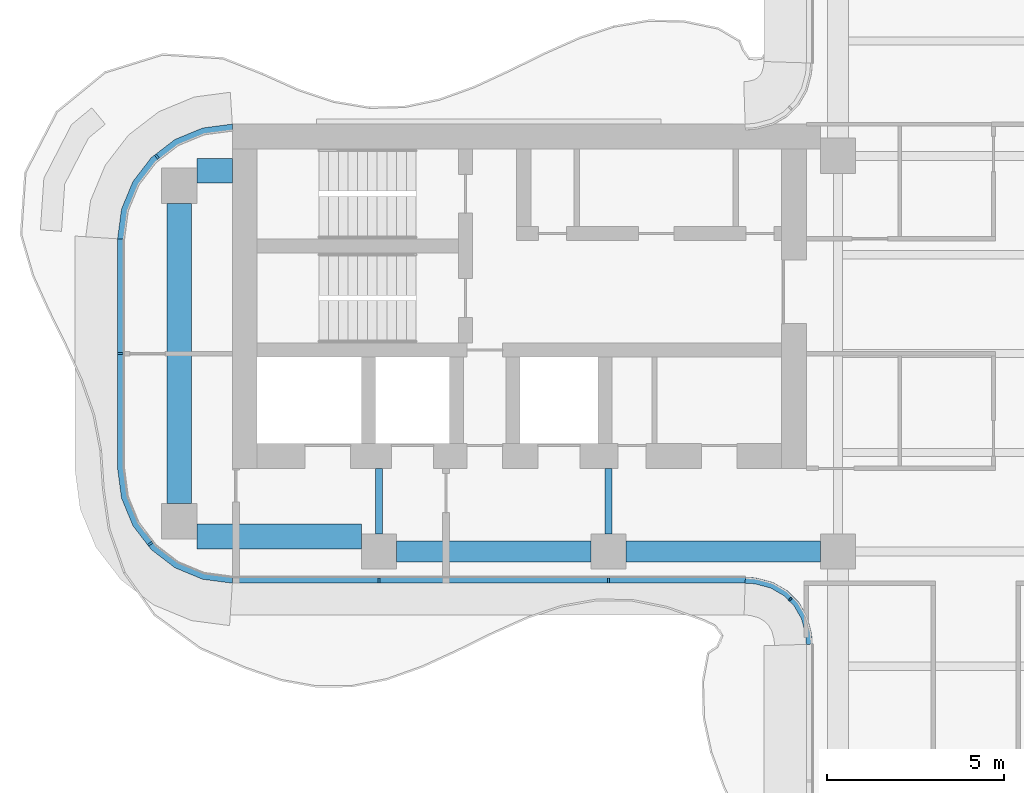
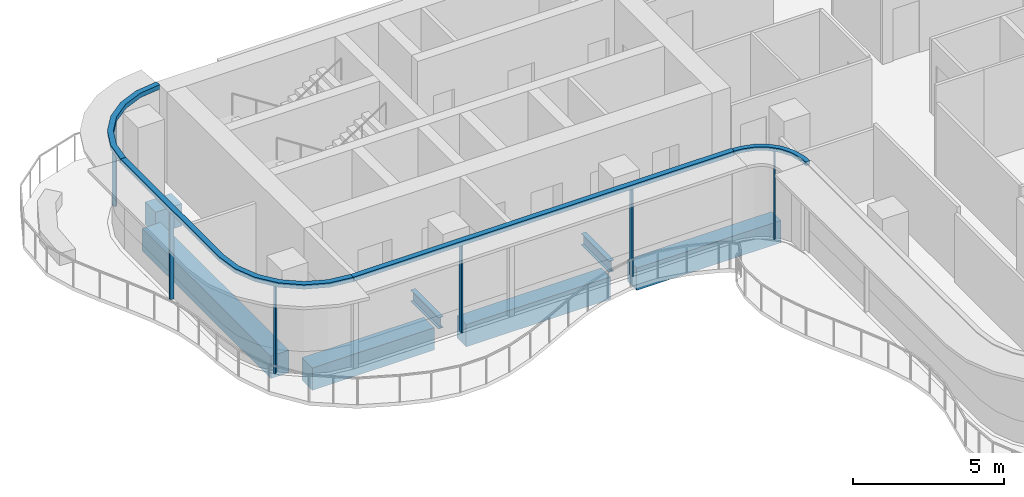
# One storey, part 3 of 16: 10 members, 7 beams, 4 elements without a shape of their own.
"""IFC4 building model written with IfcOpenShell, lengths in metres."""

from ifc_helpers import new_model, si_unit, direction, frame, origin, origin_2d, place, context, subcontext, project, spatial, polyline, rectangle, i_section, outline, extrude, source, transform, mapped, material, layer, layer_set, material_profile, profile_set, type_object, element, aggregate, save


model = new_model("IFC4")

# Units and contexts
model_context = context("Model", 3, precision=1e-05, world=origin(), true_north=direction((0.0, 1.0)))
body_context = subcontext(model_context, "Body", "Model", "MODEL_VIEW")
ifc_project = project(units=[si_unit("LENGTHUNIT", "METRE"), si_unit("AREAUNIT", "SQUARE_METRE"), si_unit("VOLUMEUNIT", "CUBIC_METRE"), si_unit("PLANEANGLEUNIT", "RADIAN"), si_unit("MASSUNIT", "GRAM", prefix="KILO")], contexts=[model_context])

# Site, building, storey
site_placement = place(None, origin())
site = spatial("IfcSite", under=ifc_project, at=site_placement, CompositionType="ELEMENT")
building_placement = place(site_placement, origin())
building = spatial("IfcBuilding", under=site, at=building_placement, Name="Trellis Farm Tower", CompositionType="ELEMENT")
storey_placement = place(building_placement, frame((0.0, 0.0, 318.39990234375)))
storey = spatial("IfcBuildingStorey", under=building, at=storey_placement, Name="L72", CompositionType="ELEMENT", Elevation=318.39990234375)

# Beams
ifc_material_1 = material(Name="Steel S355", Category="steel")
ifc_material_profile_1 = material_profile(ifc_material_1, i_section(OverallWidth=0.1904296875, OverallDepth=0.45703125, WebThickness=0.009033203125, FlangeThickness=0.014404296875, FilletRadius=0.01025390625, at=origin_2d()), Name="UB 457x191x74")
ifc_profile_set_1 = profile_set([ifc_material_profile_1], Name="Steel S355")
beam_type_1 = type_object("IfcBeamType", Name="UB 457x191x74", PredefinedType="BEAM", material=ifc_profile_set_1)
shared_shape_1 = source(origin(), body_context, "Body", "SweptSolid", [
    extrude(i_section(OverallWidth=0.1904296875, OverallDepth=0.45703125, WebThickness=0.009033203125, FlangeThickness=0.014404296875, FilletRadius=0.01025390625, at=origin_2d()), origin(), (0.0, 0.0, 1.0), 1.85009765625),
])
for number, where, z_axis, x_axis, name in (
    (1, (-18.60009765625, -5.10009765625, -0.428466796875), (0.0, 1.0, 0.0), (-1.0, 0.0, 0.0), "Girder"),
    (2, (-12.10009765625, -5.10009765625, -0.428466796875), (0.0, 1.0, 0.0), (-1.0, 0.0, 0.0), "Girder"),
):
    element("IfcBeam", number, at=place(storey_placement, frame(where, z_axis=z_axis, x_axis=x_axis)), inside=storey, type_object=beam_type_1, Name=name, PredefinedType="BEAM", context=body_context, shape_type="MappedRepresentation", body=[
        mapped(shared_shape_1, transform((0.0, 0.0, 0.0))),
    ])
ifc_material_2 = material(Name="Concrete C60/75", Category="concrete")
ifc_material_profile_2 = material_profile(ifc_material_2, rectangle(XDim=0.60009765625, YDim=0.89990234375, at=origin_2d()), Name="RC spandrel beam 600x900 C60/75")
ifc_profile_set_2 = profile_set([ifc_material_profile_2], Name="Concrete C60/75")
beam_type_2 = type_object("IfcBeamType", Name="RC spandrel beam 600x900 C60/75", PredefinedType="SPANDREL", material=ifc_profile_set_2)
shared_shape_2 = source(origin(), body_context, "Body", "SweptSolid", [
    extrude(rectangle(XDim=0.60009765625, YDim=0.89990234375, at=origin_2d()), origin(), (0.0, 0.0, 1.0), 5.5),
])
for number, where, z_axis, x_axis, name in (
    (3, (-18.10009765625, -5.60009765625, -0.64990234375), (1.0, 0.0, 0.0), (0.0, 1.0, 0.0), "Girder"),
    (4, (-11.60009765625, -5.60009765625, -0.64990234375), (1.0, 0.0, 0.0), (0.0, 1.0, 0.0), "Girder"),
):
    element("IfcBeam", number, at=place(storey_placement, frame(where, z_axis=z_axis, x_axis=x_axis)), inside=storey, type_object=beam_type_2, Name=name, PredefinedType="SPANDREL", context=body_context, shape_type="MappedRepresentation", body=[
        mapped(shared_shape_2, transform((0.0, 0.0, 0.0))),
    ])
ifc_material_profile_3 = material_profile(ifc_material_2, rectangle(XDim=0.699951171875, YDim=0.89990234375, at=origin_2d()), Name="RC spandrel beam 700x900 C60/75")
ifc_profile_set_3 = profile_set([ifc_material_profile_3], Name="Concrete C60/75")
beam_type_3 = type_object("IfcBeamType", Name="RC spandrel beam 700x900 C60/75", PredefinedType="SPANDREL", material=ifc_profile_set_3)
shared_shape_3 = source(origin(), body_context, "Body", "SweptSolid", [
    extrude(rectangle(XDim=0.699951171875, YDim=0.89990234375, at=origin_2d()), origin(), (0.0, 0.0, 1.0), 1.0),
])
beam_1_placement = place(storey_placement, frame((-23.75, 5.175048828125, -0.64990234375), z_axis=(1.0, 0.0, 0.0), x_axis=(0.0, 1.0, 0.0)))
element("IfcBeam", 5, at=beam_1_placement, inside=storey, type_object=beam_type_3, Name="Girder", PredefinedType="SPANDREL", context=body_context, shape_type="MappedRepresentation", body=[
    mapped(shared_shape_3, transform((0.0, 0.0, 0.0))),
])
shared_shape_4 = source(origin(), body_context, "Body", "SweptSolid", [
    extrude(rectangle(XDim=0.699951171875, YDim=0.89990234375, at=origin_2d()), origin(), (0.0, 0.0, 1.0), 4.64990234375),
])
beam_2_placement = place(storey_placement, frame((-23.75, -5.175048828125, -0.64990234375), z_axis=(1.0, 0.0, 0.0), x_axis=(0.0, 1.0, 0.0)))
element("IfcBeam", 6, at=beam_2_placement, inside=storey, type_object=beam_type_3, Name="Girder", PredefinedType="SPANDREL", context=body_context, shape_type="MappedRepresentation", body=[
    mapped(shared_shape_4, transform((0.0, 0.0, 0.0))),
])
shared_shape_5 = source(origin(), body_context, "Body", "SweptSolid", [
    extrude(rectangle(XDim=0.699951171875, YDim=0.89990234375, at=origin_2d()), origin(), (0.0, 0.0, 1.0), 8.5),
])
beam_3_placement = place(storey_placement, frame((-24.25, -4.25, -0.64990234375), z_axis=(0.0, 1.0, 0.0), x_axis=(-1.0, 0.0, 0.0)))
element("IfcBeam", 7, at=beam_3_placement, inside=storey, type_object=beam_type_3, Name="Girder", PredefinedType="SPANDREL", context=body_context, shape_type="MappedRepresentation", body=[
    mapped(shared_shape_5, transform((0.0, 0.0, 0.0))),
])

# Curtain wall, members
ifc_material_3 = material(Name="Aluminium and glass curtain wall", Category="aluminium")
ifc_layer_1 = layer(ifc_material_3, 0.18994140625)
ifc_layer_set_1 = layer_set([ifc_layer_1], Name="RIBBON CURTAIN WALL CW1")
curtain_wall_type_1 = type_object("IfcCurtainWallType", Name="RIBBON CURTAIN WALL CW1", PredefinedType="NOTDEFINED", material=ifc_layer_set_1)
placement_1 = place(storey_placement, origin())
curtain_wall_1 = element("IfcCurtainWall", 8, at=placement_1, inside=storey, type_object=curtain_wall_type_1, Name="CW1 001", PredefinedType="NOTDEFINED")
ifc_material_4 = material(Name="Aluminium extrusion 6063-T6", Category="aluminium")
ifc_material_profile_4 = material_profile(ifc_material_4, rectangle(XDim=0.06005859375, YDim=0.14990234375, at=origin_2d()), Name="MULLION 60x150")
ifc_profile_set_4 = profile_set([ifc_material_profile_4], Name="Aluminium extrusion 6063-T6")
member_type_1 = type_object("IfcMemberType", Name="CW1 MULLION 60x150", PredefinedType="MULLION", material=ifc_profile_set_4)
shared_shape_6 = source(origin(), body_context, "Body", "SweptSolid", [
    extrude(rectangle(XDim=0.06005859375, YDim=0.14990234375, at=origin_2d()), origin(), (0.0, 0.0, 1.0), 3.52001953125),
])
member_1_placement = place(storey_placement, frame((-18.60009765625, -6.425048828125, 0.0), z_axis=(0.0, 0.0, 1.0), x_axis=(1.0, 0.0, 0.0)))
member_1 = element("IfcMember", 9, at=member_1_placement, type_object=member_type_1, Name="MU1 001-01", PredefinedType="MULLION", context=body_context, shape_type="MappedRepresentation", body=[
    mapped(shared_shape_6, transform((0.0, 0.0, 0.0))),
])
member_2_placement = place(storey_placement, frame((-12.10009765625, -6.425048828125, 0.0), z_axis=(0.0, 0.0, 1.0), x_axis=(1.0, 0.0, 0.0)))
member_2 = element("IfcMember", 10, at=member_2_placement, type_object=member_type_1, Name="MU1 001-02", PredefinedType="MULLION", context=body_context, shape_type="MappedRepresentation", body=[
    mapped(shared_shape_6, transform((0.0, 0.0, 0.0))),
])

# Curtain wall, member
curtain_wall_2 = element("IfcCurtainWall", 11, at=placement_1, inside=storey, type_object=curtain_wall_type_1, Name="CW1 013", PredefinedType="NOTDEFINED")
member_3_placement = place(storey_placement, frame((-24.885498046875, 5.578369140625, 0.0), z_axis=(0.0, 0.0, 1.0), x_axis=(-0.793353340291, -0.608761429009, 0.0)))
member_3 = element("IfcMember", 12, at=member_3_placement, type_object=member_type_1, Name="MU1 013-01", PredefinedType="MULLION", context=body_context, shape_type="MappedRepresentation", body=[
    mapped(shared_shape_6, transform((0.0, 0.0, 0.0))),
])

# Curtain wall, members
curtain_wall_3 = element("IfcCurtainWall", 13, at=placement_1, inside=storey, type_object=curtain_wall_type_1, Name="CW1 014", PredefinedType="NOTDEFINED")
member_4_placement = place(storey_placement, frame((-25.925048828125, 0.0, 0.0), z_axis=(0.0, 0.0, 1.0), x_axis=(0.0, -1.0, 0.0)))
member_4 = element("IfcMember", 14, at=member_4_placement, type_object=member_type_1, Name="MU1 014-01", PredefinedType="MULLION", context=body_context, shape_type="MappedRepresentation", body=[
    mapped(shared_shape_6, transform((0.0, 0.0, 0.0))),
])
member_5_placement = place(storey_placement, frame((-25.078369140625, -5.385498046875, 0.0), z_axis=(0.0, 0.0, 1.0), x_axis=(0.608761429009, -0.793353340291, 0.0)))
member_5 = element("IfcMember", 15, at=member_5_placement, type_object=member_type_1, Name="MU1 014-02", PredefinedType="MULLION", context=body_context, shape_type="MappedRepresentation", body=[
    mapped(shared_shape_6, transform((0.0, 0.0, 0.0))),
])

ifc_layer_2 = layer(ifc_material_3, 0.166015625)
ifc_layer_set_2 = layer_set([ifc_layer_2], Name="WINTER GARDEN CURTAIN WALL CW3")
curtain_wall_type_2 = type_object("IfcCurtainWallType", Name="WINTER GARDEN CURTAIN WALL CW3", PredefinedType="NOTDEFINED", material=ifc_layer_set_2)
curtain_wall_4 = element("IfcCurtainWall", 16, at=placement_1, inside=storey, type_object=curtain_wall_type_2, Name="CW3 001", PredefinedType="NOTDEFINED")
ifc_material_profile_5 = material_profile(ifc_material_4, rectangle(XDim=0.050048828125, YDim=0.1201171875, at=origin_2d()), Name="MULLION 50x120")
ifc_profile_set_5 = profile_set([ifc_material_profile_5], Name="Aluminium extrusion 6063-T6")
member_type_2 = type_object("IfcMemberType", Name="CW3 MULLION 50x120", PredefinedType="MULLION", material=ifc_profile_set_5)
shared_shape_7 = source(origin(), body_context, "Body", "SweptSolid", [
    extrude(rectangle(XDim=0.050048828125, YDim=0.1201171875, at=origin_2d()), origin(), (0.0, 0.0, 1.0), 3.550048828125),
])
member_6_placement = place(storey_placement, frame((-6.953125, -6.953125, 0.0), z_axis=(0.0, 0.0, 1.0), x_axis=(0.707106781187, -0.707106781187, 0.0)))
member_6 = element("IfcMember", 17, at=member_6_placement, type_object=member_type_2, Name="MU3 001-01", PredefinedType="MULLION", context=body_context, shape_type="MappedRepresentation", body=[
    mapped(shared_shape_7, transform((0.0, 0.0, 0.0))),
])
ifc_layer_3 = layer(ifc_material_4, 0.169921875)
ifc_layer_set_3 = layer_set([ifc_layer_3], Name="Aluminium extrusion 6063-T6")
member_type_3 = type_object("IfcMemberType", Name="CW3 TRANSOM 170x150", PredefinedType="USERDEFINED", material=ifc_layer_set_3)
shared_shape_8 = source(origin(), body_context, "Body", "SweptSolid", [
    extrude(outline(polyline([(-8.2314453125, -6.5), (-8.01953125, -6.513916015625), (-7.91552734375, -6.527587890625), (-7.508544921875, -6.63671875), (-7.144287109375, -6.846923828125), (-6.846923828125, -7.144287109375), (-6.63671875, -7.508544921875), (-6.527587890625, -7.91552734375), (-6.513916015625, -8.01953125), (-6.5, -8.2314453125), (-6.330078125, -8.225830078125), (-6.3447265625, -8.0029296875), (-6.360595703125, -7.88232421875), (-6.478271484375, -7.44287109375), (-6.7109375, -7.0400390625), (-7.0400390625, -6.7109375), (-7.44287109375, -6.478271484375), (-7.88232421875, -6.360595703125), (-8.0029296875, -6.3447265625), (-8.225830078125, -6.330078125), (-8.2314453125, -6.5)])), origin(), (0.0, 0.0, 1.0), 0.150146484375),
])
member_7_placement = place(storey_placement, frame((0.0, 0.0, 3.550048828125)))
member_7 = element("IfcMember", 18, at=member_7_placement, type_object=member_type_3, Name="TR3 001", ObjectType="TRANSOM", PredefinedType="USERDEFINED", context=body_context, shape_type="MappedRepresentation", body=[
    mapped(shared_shape_8, transform((0.0, 0.0, 0.0))),
])
aggregate(curtain_wall_4, [member_6, member_7])

# Member
ifc_layer_4 = layer(ifc_material_4, 0.199951171875)
ifc_layer_set_4 = layer_set([ifc_layer_4], Name="Aluminium extrusion 6063-T6")
member_type_4 = type_object("IfcMemberType", Name="CW1 TRANSOM 200x180", PredefinedType="USERDEFINED", material=ifc_layer_set_4)
shared_shape_9 = source(origin(), body_context, "Body", "SweptSolid", [
    extrude(outline(polyline([(-22.75, -6.5), (-8.2314453125, -6.5), (-8.224853515625, -6.300048828125), (-22.73681640625, -6.300048828125), (-22.75, -6.5)])), origin(), (0.0, 0.0, 1.0), 0.18017578125),
])
placement_2 = place(storey_placement, frame((0.0, 0.0, 3.52001953125)))
member_8 = element("IfcMember", 19, at=placement_2, type_object=member_type_4, Name="TR1 001", ObjectType="TRANSOM", PredefinedType="USERDEFINED", context=body_context, shape_type="MappedRepresentation", body=[
    mapped(shared_shape_9, transform((0.0, 0.0, 0.0))),
])

aggregate(curtain_wall_1, [member_1, member_2, member_8])

shared_shape_10 = source(origin(), body_context, "Body", "SweptSolid", [
    extrude(outline(polyline([(-22.75, 6.5), (-23.591064453125, 6.38916015625), (-24.375, 6.064697265625), (-25.048095703125, 5.548095703125), (-25.564697265625, 4.875), (-25.88916015625, 4.091064453125), (-26.0, 3.25), (-25.800048828125, 3.23681640625), (-25.6943359375, 4.0390625), (-25.389892578125, 4.774169921875), (-24.905517578125, 5.405517578125), (-24.274169921875, 5.889892578125), (-23.5390625, 6.1943359375), (-22.73681640625, 6.300048828125), (-22.75, 6.5)])), origin(), (0.0, 0.0, 1.0), 0.18017578125),
])
member_9 = element("IfcMember", 20, at=placement_2, type_object=member_type_4, Name="TR1 013", ObjectType="TRANSOM", PredefinedType="USERDEFINED", context=body_context, shape_type="MappedRepresentation", body=[
    mapped(shared_shape_10, transform((0.0, 0.0, 0.0))),
])

aggregate(curtain_wall_2, [member_3, member_9])

shared_shape_11 = source(origin(), body_context, "Body", "SweptSolid", [
    extrude(outline(polyline([(-26.0, 3.25), (-26.0, -3.25), (-25.88916015625, -4.091064453125), (-25.564697265625, -4.875), (-25.048095703125, -5.548095703125), (-24.375, -6.064697265625), (-23.591064453125, -6.38916015625), (-22.75, -6.5), (-22.73681640625, -6.300048828125), (-23.5390625, -6.1943359375), (-24.274169921875, -5.889892578125), (-24.905517578125, -5.405517578125), (-25.389892578125, -4.774169921875), (-25.6943359375, -4.0390625), (-25.800048828125, -3.23681640625), (-25.800048828125, 3.23681640625), (-26.0, 3.25)])), origin(), (0.0, 0.0, 1.0), 0.18017578125),
])
member_10 = element("IfcMember", 21, at=placement_2, type_object=member_type_4, Name="TR1 014", ObjectType="TRANSOM", PredefinedType="USERDEFINED", context=body_context, shape_type="MappedRepresentation", body=[
    mapped(shared_shape_11, transform((0.0, 0.0, 0.0))),
])

aggregate(curtain_wall_3, [member_4, member_5, member_10])

save(model, "model.ifc")
